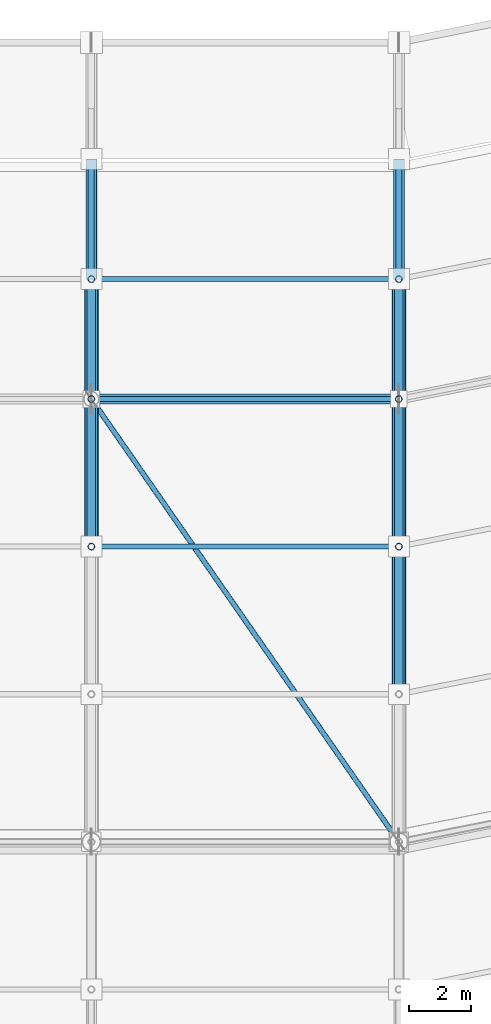
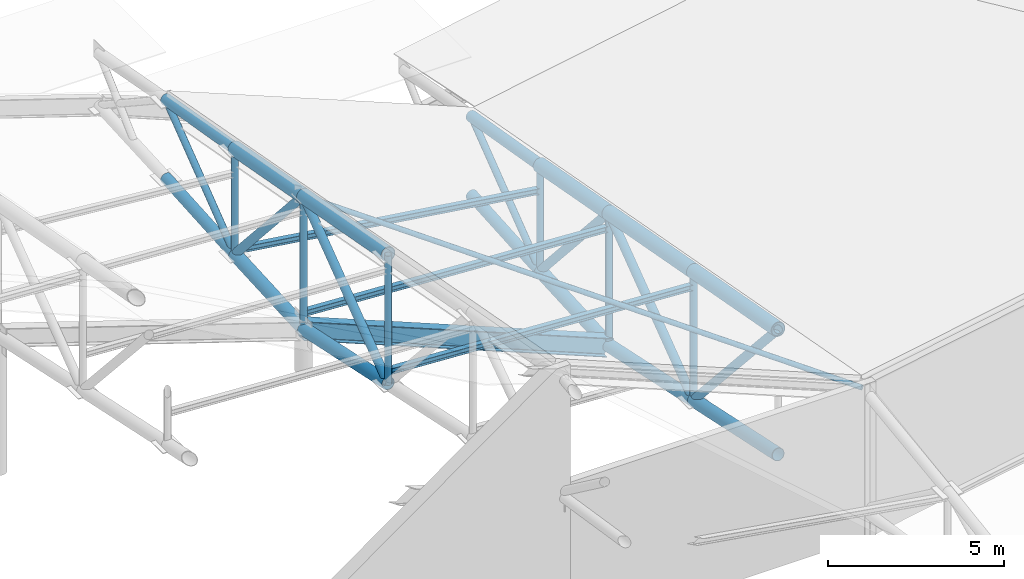
# One storey, part 61 of 146: 31 members, 1 beam.
"""IFC4 building model written with IfcOpenShell, lengths in metres."""

from ifc_helpers import new_model, si_unit, direction, frame, origin, origin_2d, place, context, subcontext, project, spatial, hollow_circle, i_section, extrude, material, material_profile, profile_set, type_object, element, save


model = new_model("IFC4")

# Units and contexts
model_context = context("Model", 3, precision=1e-05, world=origin(), true_north=direction((0.0, 1.0)))
body_context = subcontext(model_context, "Body", "Model", "MODEL_VIEW")
ifc_project = project(units=[si_unit("LENGTHUNIT", "METRE"), si_unit("AREAUNIT", "SQUARE_METRE"), si_unit("VOLUMEUNIT", "CUBIC_METRE"), si_unit("PLANEANGLEUNIT", "RADIAN"), si_unit("MASSUNIT", "GRAM", prefix="KILO")], contexts=[model_context])

# Site, building, storey
site_placement = place(None, origin())
site = spatial("IfcSite", under=ifc_project, at=site_placement, CompositionType="ELEMENT")
building_placement = place(site_placement, origin())
building = spatial("IfcBuilding", under=site, at=building_placement, Name="Candeia Ridge Stadium", CompositionType="ELEMENT")
storey_placement = place(building_placement, frame((0.0, 0.0, 31.800048828125)))
storey = spatial("IfcBuildingStorey", under=building, at=storey_placement, Name="RF", CompositionType="ELEMENT", Elevation=31.800048828125)

# Beam
ifc_material = material(Name="Steel ASTM A572 Grade 50", Category="steel")
ifc_material_profile_1 = material_profile(ifc_material, i_section(OverallWidth=0.324951171875, OverallDepth=0.615966796875, WebThickness=0.013916015625, FlangeThickness=0.021484375, FilletRadius=0.014892578125, at=origin_2d()), Name="W610x174", Category="steel")
ifc_profile_set_1 = profile_set([ifc_material_profile_1], Name="Steel ASTM A572 Grade 50")
beam_type = type_object("IfcBeamType", Name="Roof Compression Ring Beam W610x174", PredefinedType="BEAM", material=ifc_profile_set_1)
beam_placement = place(storey_placement, frame((131.037109375, 33.39990234375, 1.3994140625), z_axis=(0.925945510704, 0.0, -0.377657134457), x_axis=(0.0, 1.0, 0.0)))
element("IfcBeam", 1, at=beam_placement, inside=storey, type_object=beam_type, Name="Roof compression ring beam bay 25", PredefinedType="BEAM", context=body_context, shape_type="SweptSolid", body=[
    extrude(i_section(OverallWidth=0.324951171875, OverallDepth=0.615966796875, WebThickness=0.013916015625, FlangeThickness=0.021484375, FilletRadius=0.014892578125, at=origin_2d()), origin(), (0.0, 0.0, 1.0), 10.7197265625),
])

# Members
ifc_material_profile_2 = material_profile(ifc_material, hollow_circle(Radius=0.084228515625, WallThickness=0.008056640625, at=origin_2d()), Name="CHS168x8", Category="steel")
ifc_profile_set_2 = profile_set([ifc_material_profile_2], Name="Steel ASTM A572 Grade 50")
member_type_1 = type_object("IfcMemberType", Name="Roof Plan Wind Brace CHS168x8", PredefinedType="BRACE", material=ifc_profile_set_2)
member_1_placement = place(storey_placement, frame((131.011474609375, 33.383544921875, 6.012939453125), z_axis=(0.568541744595, -0.818713468065, -0.080427245767), x_axis=(0.821374325115, 0.570389531848, 0.0)))
element("IfcMember", 2, at=member_1_placement, inside=storey, type_object=member_type_1, Name="Roof plane wind brace bay 25", PredefinedType="BRACE", context=body_context, shape_type="SweptSolid", body=[
    extrude(hollow_circle(Radius=0.084228515625, WallThickness=0.008056640625, at=origin_2d()), origin(), (0.0, 0.0, 1.0), 17.548583984375),
])
ifc_material_profile_3 = material_profile(ifc_material, i_section(OverallWidth=0.1650390625, OverallDepth=0.200927734375, WebThickness=0.006103515625, FlangeThickness=0.01025390625, FilletRadius=0.010009765625, at=origin_2d()), Name="W200x35.9", Category="steel")
ifc_profile_set_3 = profile_set([ifc_material_profile_3], Name="Steel ASTM A572 Grade 50")
member_type_2 = type_object("IfcMemberType", Name="Roof Purlin W200x35.9", PredefinedType="PURLIN", material=ifc_profile_set_3)
member_2_placement = place(storey_placement, frame((131.049560546875, 37.300048828125, 1.767333984375), z_axis=(0.990070222355, 0.0, -0.140573663272), x_axis=(0.0, 1.0, 0.0)))
element("IfcMember", 3, at=member_2_placement, inside=storey, type_object=member_type_2, Name="Saddle roof steel purlin bay 25-1", PredefinedType="PURLIN", context=body_context, shape_type="SweptSolid", body=[
    extrude(i_section(OverallWidth=0.1650390625, OverallDepth=0.200927734375, WebThickness=0.006103515625, FlangeThickness=0.01025390625, FilletRadius=0.010009765625, at=origin_2d()), origin(), (0.0, 0.0, 1.0), 10.000244140625),
])
for number, where, z_axis, x_axis, name in (
    (4, (131.0498046875, 33.39990234375, 1.97314453125), (0.998435557369, 0.0, -0.055914557871), (0.0, 1.0, 0.0), "Saddle roof steel purlin bay 25-2"),
    (5, (131.0498046875, 28.60009765625, 2.861083984375), (0.998435557369, 0.0, -0.055914557871), (0.0, 1.0, 0.0), "Saddle roof steel purlin bay 25-3"),
):
    element("IfcMember", number, at=place(storey_placement, frame(where, z_axis=z_axis, x_axis=x_axis)), inside=storey, type_object=member_type_2, Name=name, PredefinedType="PURLIN", context=body_context, shape_type="SweptSolid", body=[
        extrude(i_section(OverallWidth=0.1650390625, OverallDepth=0.200927734375, WebThickness=0.006103515625, FlangeThickness=0.01025390625, FilletRadius=0.010009765625, at=origin_2d()), origin(), (0.0, 0.0, 1.0), 9.916015625),
    ])
ifc_material_profile_4 = material_profile(ifc_material, hollow_circle(Radius=0.136474609375, WallThickness=0.010009765625, at=origin_2d()), Name="CHS273x10", Category="steel")
ifc_profile_set_4 = profile_set([ifc_material_profile_4], Name="Steel ASTM A572 Grade 50")
member_type_3 = type_object("IfcMemberType", Name="Roof Truss Heavy Web Brace CHS273x10", PredefinedType="BRACE", material=ifc_profile_set_4)
member_3_placement = place(storey_placement, frame((131.0, 37.300048828125, 1.63427734375), z_axis=(0.0, -0.665001791652, 0.746841761754), x_axis=(1.0, 0.0, 0.0)))
element("IfcMember", 6, at=member_3_placement, inside=storey, type_object=member_type_3, Name="Roof cantilever truss RT-25 diagonal web 3", PredefinedType="BRACE", context=body_context, shape_type="SweptSolid", body=[
    extrude(hollow_circle(Radius=0.136474609375, WallThickness=0.010009765625, at=origin_2d()), origin(), (0.0, 0.0, 1.0), 5.86474609375),
])
member_4_placement = place(storey_placement, frame((131.0, 33.39990234375, 6.014404296875), z_axis=(0.0, -0.801699676117, -0.597727052519), x_axis=(1.0, 0.0, 0.0)))
element("IfcMember", 7, at=member_4_placement, inside=storey, type_object=member_type_3, Name="Roof cantilever truss RT-25 diagonal web 4", PredefinedType="BRACE", context=body_context, shape_type="SweptSolid", body=[
    extrude(hollow_circle(Radius=0.136474609375, WallThickness=0.010009765625, at=origin_2d()), origin(), (0.0, 0.0, 1.0), 5.987060546875),
])
member_5_placement = place(storey_placement, frame((141.0, 37.300048828125, -2.444091796875), z_axis=(0.0, -0.665001791652, 0.746841761754), x_axis=(1.0, 0.0, 0.0)))
element("IfcMember", 8, at=member_5_placement, inside=storey, type_object=member_type_3, Name="Roof cantilever truss RT-26 diagonal web 3", PredefinedType="BRACE", context=body_context, shape_type="SweptSolid", body=[
    extrude(hollow_circle(Radius=0.136474609375, WallThickness=0.010009765625, at=origin_2d()), origin(), (0.0, 0.0, 1.0), 5.86474609375),
])
member_6_placement = place(storey_placement, frame((141.0, 33.39990234375, 1.93603515625), z_axis=(0.0, -0.801680135344, -0.597753260631), x_axis=(1.0, 0.0, 0.0)))
element("IfcMember", 9, at=member_6_placement, inside=storey, type_object=member_type_3, Name="Roof cantilever truss RT-26 diagonal web 4", PredefinedType="BRACE", context=body_context, shape_type="SweptSolid", body=[
    extrude(hollow_circle(Radius=0.136474609375, WallThickness=0.010009765625, at=origin_2d()), origin(), (0.0, 0.0, 1.0), 5.987060546875),
])
member_7_placement = place(storey_placement, frame((141.0, 28.60009765625, -1.642822265625), z_axis=(0.0, -0.667487252066, 0.744621224737), x_axis=(1.0, 0.0, 0.0)))
element("IfcMember", 10, at=member_7_placement, inside=storey, type_object=member_type_3, Name="Roof cantilever truss RT-26 diagonal web 5", PredefinedType="BRACE", context=body_context, shape_type="SweptSolid", body=[
    extrude(hollow_circle(Radius=0.136474609375, WallThickness=0.010009765625, at=origin_2d()), origin(), (0.0, 0.0, 1.0), 7.191162109375),
])
ifc_material_profile_5 = material_profile(ifc_material, hollow_circle(Radius=0.109619140625, WallThickness=0.010009765625, at=origin_2d()), Name="CHS219x10", Category="steel")
ifc_profile_set_5 = profile_set([ifc_material_profile_5], Name="Steel ASTM A572 Grade 50")
member_type_4 = type_object("IfcMemberType", Name="Roof Truss Inner Web Brace CHS219x10", PredefinedType="BRACE", material=ifc_profile_set_5)
member_8_placement = place(storey_placement, frame((131.0, 41.199951171875, 4.621337890625), z_axis=(0.0, -0.793887844601, -0.608064215519), x_axis=(1.0, 0.0, 0.0)))
element("IfcMember", 11, at=member_8_placement, inside=storey, type_object=member_type_4, Name="Roof cantilever truss RT-25 diagonal web 2", PredefinedType="BRACE", context=body_context, shape_type="SweptSolid", body=[
    extrude(hollow_circle(Radius=0.109619140625, WallThickness=0.010009765625, at=origin_2d()), origin(), (0.0, 0.0, 1.0), 4.912353515625),
])
member_9_placement = place(storey_placement, frame((131.0, 37.300048828125, 1.63427734375), z_axis=(0.0, 0.0, 1.0), x_axis=(1.0, 0.0, 0.0)))
element("IfcMember", 12, at=member_9_placement, inside=storey, type_object=member_type_4, Name="Roof cantilever truss RT-25 vertical post 2", PredefinedType="BRACE", context=body_context, shape_type="SweptSolid", body=[
    extrude(hollow_circle(Radius=0.109619140625, WallThickness=0.010009765625, at=origin_2d()), origin(), (0.0, 0.0, 1.0), 3.65869140625),
])
member_10_placement = place(storey_placement, frame((131.0, 33.39990234375, 1.41455078125), z_axis=(0.0, 0.0, 1.0), x_axis=(1.0, 0.0, 0.0)))
element("IfcMember", 13, at=member_10_placement, inside=storey, type_object=member_type_4, Name="Roof cantilever truss RT-25 vertical post 3", PredefinedType="BRACE", context=body_context, shape_type="SweptSolid", body=[
    extrude(hollow_circle(Radius=0.109619140625, WallThickness=0.010009765625, at=origin_2d()), origin(), (0.0, 0.0, 1.0), 4.599853515625),
])
member_11_placement = place(storey_placement, frame((131.0, 28.60009765625, 2.435791015625), z_axis=(0.0, 0.0, 1.0), x_axis=(1.0, 0.0, 0.0)))
element("IfcMember", 14, at=member_11_placement, inside=storey, type_object=member_type_4, Name="Roof cantilever truss RT-25 vertical post 4", PredefinedType="BRACE", context=body_context, shape_type="SweptSolid", body=[
    extrude(hollow_circle(Radius=0.109619140625, WallThickness=0.010009765625, at=origin_2d()), origin(), (0.0, 0.0, 1.0), 4.466552734375),
])
member_12_placement = place(storey_placement, frame((141.0, 41.199951171875, 0.54296875), z_axis=(0.0, -0.793887844601, -0.608064215519), x_axis=(1.0, 0.0, 0.0)))
element("IfcMember", 15, at=member_12_placement, inside=storey, type_object=member_type_4, Name="Roof cantilever truss RT-26 diagonal web 2", PredefinedType="BRACE", context=body_context, shape_type="SweptSolid", body=[
    extrude(hollow_circle(Radius=0.109619140625, WallThickness=0.010009765625, at=origin_2d()), origin(), (0.0, 0.0, 1.0), 4.912353515625),
])
member_13_placement = place(storey_placement, frame((141.0, 37.300048828125, -2.444091796875), z_axis=(0.0, 0.0, 1.0), x_axis=(1.0, 0.0, 0.0)))
element("IfcMember", 16, at=member_13_placement, inside=storey, type_object=member_type_4, Name="Roof cantilever truss RT-26 vertical post 2", PredefinedType="BRACE", context=body_context, shape_type="SweptSolid", body=[
    extrude(hollow_circle(Radius=0.109619140625, WallThickness=0.010009765625, at=origin_2d()), origin(), (0.0, 0.0, 1.0), 3.658447265625),
])
member_14_placement = place(storey_placement, frame((141.0, 33.39990234375, -2.6640625), z_axis=(0.0, 0.0, 1.0), x_axis=(1.0, 0.0, 0.0)))
element("IfcMember", 17, at=member_14_placement, inside=storey, type_object=member_type_4, Name="Roof cantilever truss RT-26 vertical post 3", PredefinedType="BRACE", context=body_context, shape_type="SweptSolid", body=[
    extrude(hollow_circle(Radius=0.109619140625, WallThickness=0.010009765625, at=origin_2d()), origin(), (0.0, 0.0, 1.0), 4.60009765625),
])
member_15_placement = place(storey_placement, frame((141.0, 28.60009765625, -1.642822265625), z_axis=(0.0, 0.0, 1.0), x_axis=(1.0, 0.0, 0.0)))
element("IfcMember", 18, at=member_15_placement, inside=storey, type_object=member_type_4, Name="Roof cantilever truss RT-26 vertical post 4", PredefinedType="BRACE", context=body_context, shape_type="SweptSolid", body=[
    extrude(hollow_circle(Radius=0.109619140625, WallThickness=0.010009765625, at=origin_2d()), origin(), (0.0, 0.0, 1.0), 4.466796875),
])
ifc_material_profile_6 = material_profile(ifc_material, hollow_circle(Radius=0.228515625, WallThickness=0.02001953125, at=origin_2d()), Name="CHS457x20", Category="steel")
ifc_profile_set_6 = profile_set([ifc_material_profile_6], Name="Steel ASTM A572 Grade 50")
member_type_5 = type_object("IfcMemberType", Name="Roof Truss Main Chord CHS457x20", PredefinedType="CHORD", material=ifc_profile_set_6)
member_16_placement = place(storey_placement, frame((131.0, 37.300048828125, 5.29296875), z_axis=(0.0, -0.983318721205, 0.181890880824), x_axis=(1.0, 0.0, 0.0)))
element("IfcMember", 19, at=member_16_placement, inside=storey, type_object=member_type_5, Name="Roof cantilever truss RT-25 top chord 3", PredefinedType="CHORD", context=body_context, shape_type="SweptSolid", body=[
    extrude(hollow_circle(Radius=0.228515625, WallThickness=0.02001953125, at=origin_2d()), origin(), (0.0, 0.0, 1.0), 3.96630859375),
])
member_17_placement = place(storey_placement, frame((131.0, 33.39990234375, 6.014404296875), z_axis=(0.0, -0.983315487156, 0.181908363519), x_axis=(1.0, 0.0, 0.0)))
element("IfcMember", 20, at=member_17_placement, inside=storey, type_object=member_type_5, Name="Roof cantilever truss RT-25 top chord 4", PredefinedType="CHORD", context=body_context, shape_type="SweptSolid", body=[
    extrude(hollow_circle(Radius=0.228515625, WallThickness=0.02001953125, at=origin_2d()), origin(), (0.0, 0.0, 1.0), 4.88134765625),
])
member_18_placement = place(storey_placement, frame((141.0, 37.300048828125, 1.21435546875), z_axis=(0.0, -0.983307710254, 0.181950396965), x_axis=(1.0, 0.0, 0.0)))
element("IfcMember", 21, at=member_18_placement, inside=storey, type_object=member_type_5, Name="Roof cantilever truss RT-26 top chord 3", PredefinedType="CHORD", context=body_context, shape_type="SweptSolid", body=[
    extrude(hollow_circle(Radius=0.228515625, WallThickness=0.02001953125, at=origin_2d()), origin(), (0.0, 0.0, 1.0), 3.96630859375),
])
member_19_placement = place(storey_placement, frame((141.0, 33.39990234375, 1.93603515625), z_axis=(0.0, -0.983315487156, 0.181908363519), x_axis=(1.0, 0.0, 0.0)))
element("IfcMember", 22, at=member_19_placement, inside=storey, type_object=member_type_5, Name="Roof cantilever truss RT-26 top chord 4", PredefinedType="CHORD", context=body_context, shape_type="SweptSolid", body=[
    extrude(hollow_circle(Radius=0.228515625, WallThickness=0.02001953125, at=origin_2d()), origin(), (0.0, 0.0, 1.0), 4.88134765625),
])
member_20_placement = place(storey_placement, frame((141.0, 28.60009765625, 2.823974609375), z_axis=(0.0, -0.983317142098, 0.181899417416), x_axis=(1.0, 0.0, 0.0)))
element("IfcMember", 23, at=member_20_placement, inside=storey, type_object=member_type_5, Name="Roof cantilever truss RT-26 top chord 5", PredefinedType="CHORD", context=body_context, shape_type="SweptSolid", body=[
    extrude(hollow_circle(Radius=0.228515625, WallThickness=0.02001953125, at=origin_2d()), origin(), (0.0, 0.0, 1.0), 4.881591796875),
])
ifc_material_profile_7 = material_profile(ifc_material, hollow_circle(Radius=0.202880859375, WallThickness=0.01611328125, at=origin_2d()), Name="CHS406x16", Category="steel")
ifc_profile_set_7 = profile_set([ifc_material_profile_7], Name="Steel ASTM A572 Grade 50")
member_type_6 = type_object("IfcMemberType", Name="Roof Truss Outer Chord CHS406x16", PredefinedType="CHORD", material=ifc_profile_set_7)
member_21_placement = place(storey_placement, frame((131.0, 37.300048828125, 1.63427734375), z_axis=(0.0, -0.998416781117, -0.056248832739), x_axis=(1.0, 0.0, 0.0)))
element("IfcMember", 24, at=member_21_placement, inside=storey, type_object=member_type_6, Name="Roof cantilever truss RT-25 bottom chord 3", PredefinedType="CHORD", context=body_context, shape_type="SweptSolid", body=[
    extrude(hollow_circle(Radius=0.202880859375, WallThickness=0.01611328125, at=origin_2d()), origin(), (0.0, 0.0, 1.0), 3.90625),
])
member_22_placement = place(storey_placement, frame((131.0, 33.39990234375, 1.41455078125), z_axis=(0.0, -0.978105713519, 0.208108657154), x_axis=(1.0, 0.0, 0.0)))
element("IfcMember", 25, at=member_22_placement, inside=storey, type_object=member_type_6, Name="Roof cantilever truss RT-25 bottom chord 4", PredefinedType="CHORD", context=body_context, shape_type="SweptSolid", body=[
    extrude(hollow_circle(Radius=0.202880859375, WallThickness=0.01611328125, at=origin_2d()), origin(), (0.0, 0.0, 1.0), 4.9072265625),
])
member_23_placement = place(storey_placement, frame((141.0, 37.300048828125, -2.444091796875), z_axis=(0.0, -0.998413269272, -0.056311133372), x_axis=(1.0, 0.0, 0.0)))
element("IfcMember", 26, at=member_23_placement, inside=storey, type_object=member_type_6, Name="Roof cantilever truss RT-26 bottom chord 3", PredefinedType="CHORD", context=body_context, shape_type="SweptSolid", body=[
    extrude(hollow_circle(Radius=0.202880859375, WallThickness=0.01611328125, at=origin_2d()), origin(), (0.0, 0.0, 1.0), 3.90625),
])
member_24_placement = place(storey_placement, frame((141.0, 33.39990234375, -2.6640625), z_axis=(0.0, -0.978105713519, 0.208108657154), x_axis=(1.0, 0.0, 0.0)))
element("IfcMember", 27, at=member_24_placement, inside=storey, type_object=member_type_6, Name="Roof cantilever truss RT-26 bottom chord 4", PredefinedType="CHORD", context=body_context, shape_type="SweptSolid", body=[
    extrude(hollow_circle(Radius=0.202880859375, WallThickness=0.01611328125, at=origin_2d()), origin(), (0.0, 0.0, 1.0), 4.9072265625),
])
member_25_placement = place(storey_placement, frame((141.0, 28.60009765625, -1.642822265625), z_axis=(0.0, -0.978097741011, 0.208146124225), x_axis=(1.0, 0.0, 0.0)))
element("IfcMember", 28, at=member_25_placement, inside=storey, type_object=member_type_6, Name="Roof cantilever truss RT-26 bottom chord 5", PredefinedType="CHORD", context=body_context, shape_type="SweptSolid", body=[
    extrude(hollow_circle(Radius=0.202880859375, WallThickness=0.01611328125, at=origin_2d()), origin(), (0.0, 0.0, 1.0), 4.907470703125),
])
ifc_material_profile_8 = material_profile(ifc_material, hollow_circle(Radius=0.177734375, WallThickness=0.01416015625, at=origin_2d()), Name="CHS355x14", Category="steel")
ifc_profile_set_8 = profile_set([ifc_material_profile_8], Name="Steel ASTM A572 Grade 50")
member_type_7 = type_object("IfcMemberType", Name="Roof Truss Tip Chord CHS355x14", PredefinedType="CHORD", material=ifc_profile_set_8)
member_26_placement = place(storey_placement, frame((131.0, 41.199951171875, 4.621337890625), z_axis=(0.0, -0.985492511851, 0.169718911988), x_axis=(1.0, 0.0, 0.0)))
element("IfcMember", 29, at=member_26_placement, inside=storey, type_object=member_type_7, Name="Roof cantilever truss RT-25 top chord 2", PredefinedType="CHORD", context=body_context, shape_type="SweptSolid", body=[
    extrude(hollow_circle(Radius=0.177734375, WallThickness=0.01416015625, at=origin_2d()), origin(), (0.0, 0.0, 1.0), 3.957275390625),
])
member_27_placement = place(storey_placement, frame((131.0, 41.199951171875, 1.904296875), z_axis=(0.0, -0.997611667068, -0.069072148728), x_axis=(1.0, 0.0, 0.0)))
element("IfcMember", 30, at=member_27_placement, inside=storey, type_object=member_type_7, Name="Roof cantilever truss RT-25 bottom chord 2", PredefinedType="CHORD", context=body_context, shape_type="SweptSolid", body=[
    extrude(hollow_circle(Radius=0.177734375, WallThickness=0.01416015625, at=origin_2d()), origin(), (0.0, 0.0, 1.0), 3.9091796875),
])
member_28_placement = place(storey_placement, frame((141.0, 41.199951171875, 0.54296875), z_axis=(0.0, -0.985502828795, 0.169658994565), x_axis=(1.0, 0.0, 0.0)))
element("IfcMember", 31, at=member_28_placement, inside=storey, type_object=member_type_7, Name="Roof cantilever truss RT-26 top chord 2", PredefinedType="CHORD", context=body_context, shape_type="SweptSolid", body=[
    extrude(hollow_circle(Radius=0.177734375, WallThickness=0.01416015625, at=origin_2d()), origin(), (0.0, 0.0, 1.0), 3.957275390625),
])
member_29_placement = place(storey_placement, frame((141.0, 41.199951171875, -2.17431640625), z_axis=(0.0, -0.997615968556, -0.069009994069), x_axis=(1.0, 0.0, 0.0)))
element("IfcMember", 32, at=member_29_placement, inside=storey, type_object=member_type_7, Name="Roof cantilever truss RT-26 bottom chord 2", PredefinedType="CHORD", context=body_context, shape_type="SweptSolid", body=[
    extrude(hollow_circle(Radius=0.177734375, WallThickness=0.01416015625, at=origin_2d()), origin(), (0.0, 0.0, 1.0), 3.9091796875),
])

save(model, "model.ifc")
